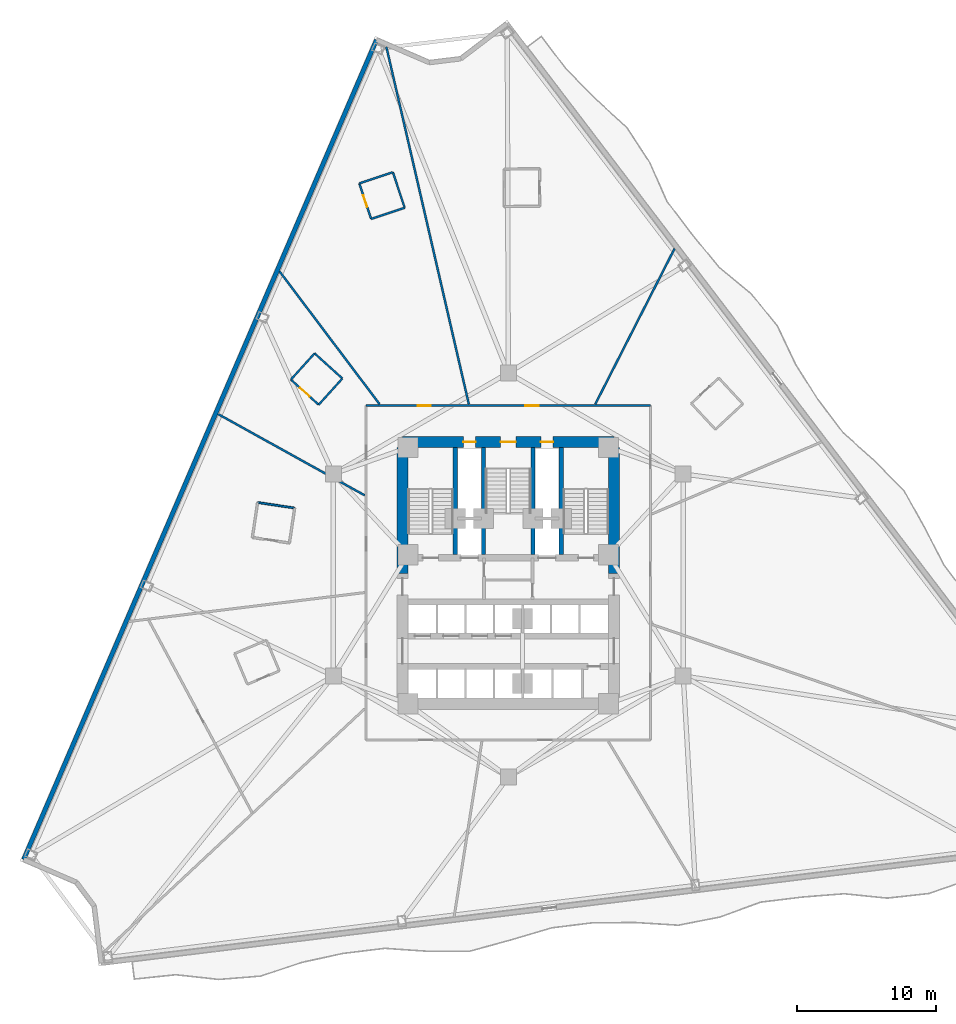
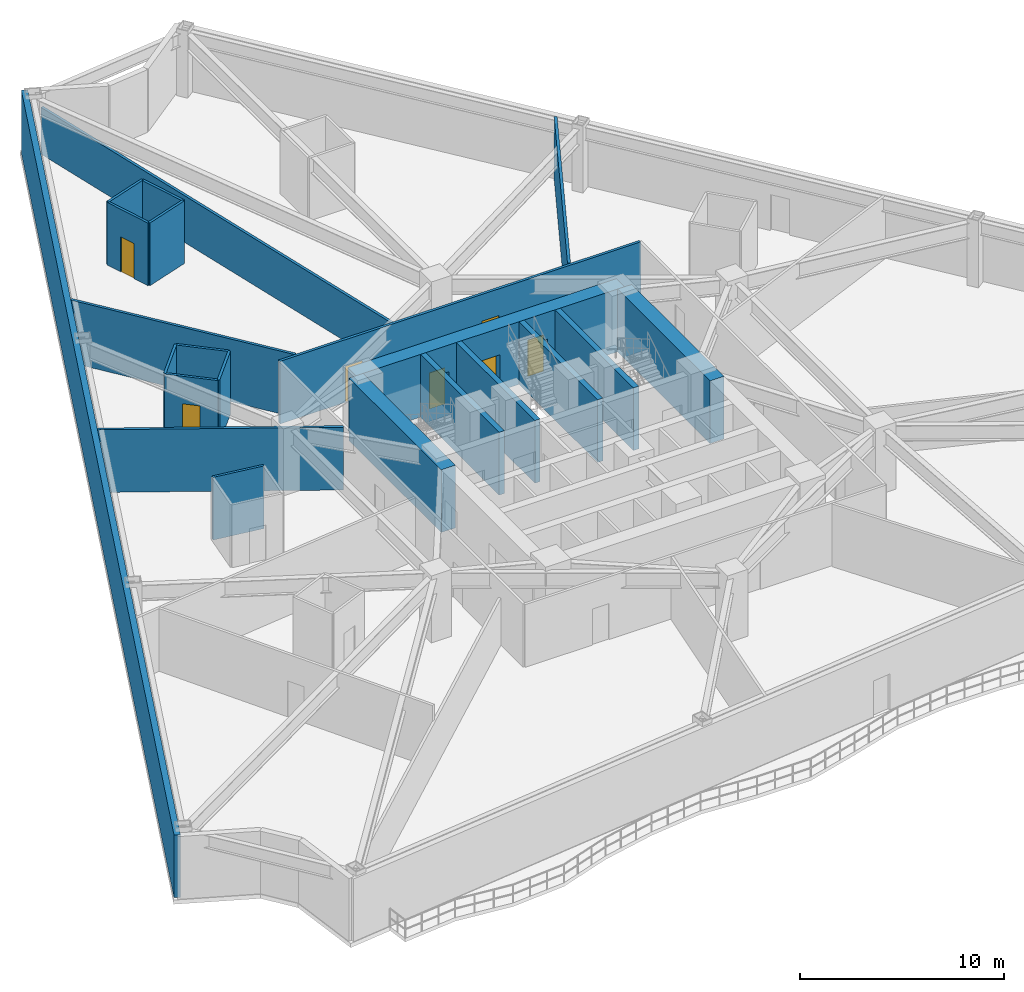
# One storey, part 5 of 10: 22 walls, 7 doors, 7 openings.
"""IFC4 building model written with IfcOpenShell, lengths in metres."""

import ifcopenshell
import ifcopenshell.guid

model = None  # the IFC model being written
_history = None  # IfcOwnerHistory: only IFC2X3 demands one
_inside = {}  # id of a spatial element -> (the spatial element, [elements in it])
_under = {}  # id of a project, library or spatial element -> (it, [spatial elements below it])
_declared = {}  # id of a project -> (the project, [libraries it declares])
_typed = {}  # id of a type object -> (the type object, [elements of that type])
_made_of = {}  # id of a material, layer set ... -> (it, [elements and type objects made of it])


def new_model(schema):
    """Start an empty IFC model of exactly this schema.

    Asked for "IFC4X3", IfcOpenShell would pick the latest addendum, in which some entities
    have other attributes; the version numbers below select the first issue.
    IFC2X3 requires an IfcOwnerHistory on every rooted entity: one is made here for all.
    """
    global model, _history
    if schema == "IFC4X3":
        model = ifcopenshell.file(schema_version=(4, 3, 0, 0))
    else:
        model = ifcopenshell.file(schema=schema)
    _inside.clear()
    _under.clear()
    _declared.clear()
    _typed.clear()
    _made_of.clear()
    _history = None
    if model.schema == "IFC2X3":
        org = make("IfcOrganization", Name="unknown")
        user = make(
            "IfcPersonAndOrganization",
            ThePerson=make("IfcPerson", FamilyName="unknown"),
            TheOrganization=org,
        )
        app = make(
            "IfcApplication",
            ApplicationDeveloper=org,
            Version="unknown",
            ApplicationFullName="unknown",
            ApplicationIdentifier="unknown",
        )
        _history = make(
            "IfcOwnerHistory",
            OwningUser=user,
            OwningApplication=app,
            ChangeAction="ADDED",
            CreationDate=0,
        )
    return model


def make(cls, **values):
    """One entity of the class cls with the attributes given. An attribute that is None is left unset."""
    return model.create_entity(
        cls, **{name: value for name, value in values.items() if value is not None}
    )


def rooted(cls, **values):
    """An entity with a GlobalId (a new one), such as an element, a storey or a relation."""
    return make(cls, GlobalId=ifcopenshell.guid.new(), OwnerHistory=_history, **values)


def si_unit(unit_type, name, prefix=None):
    """IfcSIUnit, for example si_unit("LENGTHUNIT", "METRE", prefix="MILLI")."""
    return make("IfcSIUnit", UnitType=unit_type, Prefix=prefix, Name=name)


def assignment(units):
    """IfcUnitAssignment: the units of a project."""
    return None if units is None else make("IfcUnitAssignment", Units=units)


def point(xyz):
    """IfcCartesianPoint."""
    return None if xyz is None else make("IfcCartesianPoint", Coordinates=xyz)


def direction(xyz):
    """IfcDirection."""
    return None if xyz is None else make("IfcDirection", DirectionRatios=xyz)


def frame(location, z_axis=None, x_axis=None):
    """IfcAxis2Placement3D, a coordinate frame: its origin and axes. An axis left out is left unset."""
    return make(
        "IfcAxis2Placement3D",
        Location=point(location),
        Axis=direction(z_axis),
        RefDirection=direction(x_axis),
    )


def frame_2d(location, x_axis=None):
    """IfcAxis2Placement2D, a coordinate frame in the plane: its origin and x axis."""
    return make(
        "IfcAxis2Placement2D", Location=point(location), RefDirection=direction(x_axis)
    )


def origin():
    """The frame at (0, 0, 0) with its axes left unset."""
    return frame((0.0, 0.0, 0.0))


def place(relative_to, where):
    """IfcLocalPlacement: puts the frame where relative to a parent placement (None: the world)."""
    return make(
        "IfcLocalPlacement", PlacementRelTo=relative_to, RelativePlacement=where
    )


def context(
    kind, dimensions, precision=None, world=None, true_north=None, identifier=None
):
    """IfcGeometricRepresentationContext, for example the 3D "Model" context."""
    return make(
        "IfcGeometricRepresentationContext",
        ContextIdentifier=identifier,
        ContextType=kind,
        CoordinateSpaceDimension=dimensions,
        Precision=precision,
        WorldCoordinateSystem=world,
        TrueNorth=true_north,
    )


def subcontext(parent, identifier, kind, view, scale=None):
    """IfcGeometricRepresentationSubContext, for example "Body" below "Model"."""
    return make(
        "IfcGeometricRepresentationSubContext",
        ContextIdentifier=identifier,
        ContextType=kind,
        ParentContext=parent,
        TargetScale=scale,
        TargetView=view,
    )


def project(units=None, contexts=None):
    """IfcProject with its units and contexts."""
    return rooted(
        "IfcProject",
        Name="project",
        RepresentationContexts=contexts,
        UnitsInContext=assignment(units),
    )


def spatial(cls, under=None, at=None, **own):
    """A site, building, storey or space (cls), placed at a placement, below another one or the project."""
    s = rooted(cls, ObjectPlacement=at, **own)
    if under is not None:
        _under.setdefault(under.id(), (under, []))[1].append(s)
    return s


def profile(cls, at=None, kind="AREA", **sizes):
    """A parametric profile (cls). Its sizes go by their IFC names, for example OverallWidth=200.0."""
    return make(cls, ProfileType=kind, Position=at, **sizes)


def rectangle(**sizes):
    """IfcRectangleProfileDef."""
    return profile("IfcRectangleProfileDef", **sizes)


def extrude(swept, where, along, depth):
    """IfcExtrudedAreaSolid: the profile swept, set in the frame where, extruded along a direction by depth."""
    return make(
        "IfcExtrudedAreaSolid",
        SweptArea=swept,
        Position=where,
        ExtrudedDirection=direction(along),
        Depth=depth,
    )


def shape(context_of_items, identifier, shape_type, items):
    """IfcShapeRepresentation: the items that make up one representation, for example the "Body"."""
    return make(
        "IfcShapeRepresentation",
        ContextOfItems=context_of_items,
        RepresentationIdentifier=identifier,
        RepresentationType=shape_type,
        Items=items,
    )


def material(Name=None, Category=None):
    """IfcMaterial."""
    return make("IfcMaterial", Name=Name, Category=Category)


def layer(
    of_material, thickness, ventilated=None, Name=None, Category=None, Priority=None
):
    """IfcMaterialLayer: one layer of a wall or slab, of a material (None: an air gap)."""
    return make(
        "IfcMaterialLayer",
        Material=of_material,
        LayerThickness=thickness,
        IsVentilated=ventilated,
        Name=Name,
        Category=Category,
        Priority=Priority,
    )


def layer_set(layers, Name=None):
    """IfcMaterialLayerSet."""
    return make("IfcMaterialLayerSet", MaterialLayers=layers, LayerSetName=Name)


def made_of(thing, what):
    """Note that an element or type object is made of a material, layer set ...; save() writes the relation."""
    if what is not None:
        _made_of.setdefault(what.id(), (what, []))[1].append(thing)
    return thing


def type_object(cls, material=None, **own):
    """A type object (cls), such as IfcWallType, which elements share."""
    return made_of(rooted(cls, **own), material)


def element(
    cls,
    number,
    at=None,
    inside=None,
    cuts=None,
    type_object=None,
    material=None,
    context=None,
    identifier="Body",
    shape_type=None,
    held_by="IfcProductDefinitionShape",
    body=None,
    shapes=None,
    **own,
):
    """One element of the class cls, such as IfcWall. Its Tag is "e" and its number.

    at: its placement. inside: the storey or other place that contains it. cuts: it is an
    opening in that element (IfcRelVoidsElement). A single representation is given by context,
    identifier, shape_type and body (its items); several are given by shapes. held_by: the class
    of the entity that holds the representations. save() writes the other relations.
    """
    e = rooted(cls, Tag="e%d" % number, ObjectPlacement=at, **own)
    if body is not None:
        shapes = [shape(context, identifier, shape_type, body)]
    if shapes is not None:
        e.Representation = make(held_by, Representations=shapes)
    if inside is not None:
        _inside.setdefault(inside.id(), (inside, []))[1].append(e)
    if cuts is not None:
        rooted(
            "IfcRelVoidsElement", RelatingBuildingElement=cuts, RelatedOpeningElement=e
        )
    if type_object is not None:
        _typed.setdefault(type_object.id(), (type_object, []))[1].append(e)
    return made_of(e, material)


def fill(opening, filler):
    """IfcRelFillsElement: the door or window that sits in an opening."""
    return rooted(
        "IfcRelFillsElement",
        RelatingOpeningElement=opening,
        RelatedBuildingElement=filler,
    )


def aggregate(whole, parts):
    """IfcRelAggregates: a whole, such as a stair, and the parts it consists of."""
    return rooted("IfcRelAggregates", RelatingObject=whole, RelatedObjects=parts)


def save(model, path):
    """Write the relations noted so far, then the file.

    IfcRelAggregates (storeys below a building ...), IfcRelContainedInSpatialStructure (elements
    in a storey), IfcRelDefinesByType, IfcRelAssociatesMaterial and IfcRelDeclares: one each for
    every whole, place, type object, material and project.
    """
    for whole, parts in _under.values():
        aggregate(whole, parts)
    for where, things in _inside.values():
        rooted(
            "IfcRelContainedInSpatialStructure",
            RelatedElements=things,
            RelatingStructure=where,
        )
    for kind, things in _typed.values():
        rooted("IfcRelDefinesByType", RelatedObjects=things, RelatingType=kind)
    for what, things in _made_of.values():
        rooted("IfcRelAssociatesMaterial", RelatedObjects=things, RelatingMaterial=what)
    for by, libraries in _declared.values():
        rooted("IfcRelDeclares", RelatingContext=by, RelatedDefinitions=libraries)
    model.write(path)


model = new_model("IFC4")

# Units and contexts
model_context = context("Model", 3, precision=1e-05, world=origin(), true_north=direction((0.0, 1.0)))
body_context = subcontext(model_context, "Body", "Model", "MODEL_VIEW")
ifc_project = project(units=[si_unit("LENGTHUNIT", "METRE"), si_unit("AREAUNIT", "SQUARE_METRE"), si_unit("VOLUMEUNIT", "CUBIC_METRE"), si_unit("PLANEANGLEUNIT", "RADIAN"), si_unit("MASSUNIT", "GRAM", prefix="KILO")], contexts=[model_context])

# Site, building, storey
site_placement = place(None, origin())
site = spatial("IfcSite", under=ifc_project, at=site_placement, CompositionType="ELEMENT")
building_placement = place(site_placement, origin())
building = spatial("IfcBuilding", under=site, at=building_placement, Name="Apsidion Concourse Tower", CompositionType="ELEMENT")
storey_placement = place(building_placement, frame((0.0, 0.0, 87.0)))
storey = spatial("IfcBuildingStorey", under=building, at=storey_placement, Name="L19", CompositionType="ELEMENT", Elevation=87.0)

# Walls
ifc_material_1 = material(Name="Precast concrete C40/50", Category="concrete")
ifc_layer_1 = layer(ifc_material_1, 0.320068359375)
ifc_layer_set_1 = layer_set([ifc_layer_1], Name="Precast concrete C40/50")
wall_type_1 = type_object("IfcWallType", Name="WL-EXT-320", PredefinedType="STANDARD", material=ifc_layer_set_1)
wall_1_placement = place(storey_placement, frame((-34.787353515625, -20.429443359375, 0.0), z_axis=(0.0, 0.0, 1.0), x_axis=(0.395418293843, 0.91850115563, 0.0)))
element("IfcWall", 1, at=wall_1_placement, inside=storey, type_object=wall_type_1, Name="L19 Precast Stone Facade Wall 09", PredefinedType="STANDARD", context=body_context, shape_type="SweptSolid", body=[
    extrude(rectangle(XDim=64.058349609375, YDim=0.320068359375, at=frame_2d((32.029296875, 0.0))), origin(), (0.0, 0.0, 1.0), 3.75),
])
ifc_material_2 = material(Name="Gypsum plasterboard partition")
ifc_layer_2 = layer(ifc_material_2, 0.139892578125)
ifc_layer_set_2 = layer_set([ifc_layer_2], Name="Gypsum plasterboard partition")
wall_type_2 = type_object("IfcWallType", Name="WL-INT-PAR-140", PredefinedType="PARTITIONING", material=ifc_layer_set_2)
wall_2_placement = place(storey_placement, frame((-7.433837890625, 26.357421875, 0.0), z_axis=(0.0, 0.0, 1.0), x_axis=(-0.315655933888, 0.94887371731, 0.0)))
element("IfcWall", 2, at=wall_2_placement, inside=storey, type_object=wall_type_2, Name="L19 Interior Partition WL-L19-POD-ENS07-S1", PredefinedType="PARTITIONING", context=body_context, shape_type="SweptSolid", body=[
    extrude(rectangle(XDim=2.68994140625, YDim=0.139892578125, at=frame_2d((1.344970703125, 0.0))), origin(), (0.0, 0.0, 1.0), 3.75),
])
wall_3_placement = place(storey_placement, frame((-8.282958984375, 28.909912109375, 0.0), z_axis=(0.0, 0.0, 1.0), x_axis=(-0.948875358448, -0.315651000521, 0.0)))
element("IfcWall", 3, at=wall_3_placement, inside=storey, type_object=wall_type_2, Name="L19 Interior Partition WL-L19-POD-ENS07-S2", PredefinedType="PARTITIONING", context=body_context, shape_type="SweptSolid", body=[
    extrude(rectangle(XDim=2.5400390625, YDim=0.139892578125, at=frame_2d((1.27001953125, 0.0))), origin(), (0.0, 0.0, 1.0), 3.75),
])

# Wall, opening, door
wall_4_placement = place(storey_placement, frame((-10.693115234375, 28.108154296875, 0.0), z_axis=(0.0, 0.0, 1.0), x_axis=(0.315655933888, -0.94887371731, 0.0)))
wall_4 = element("IfcWall", 4, at=wall_4_placement, inside=storey, type_object=wall_type_2, Name="L19 Interior Partition WL-L19-POD-ENS07-S3", PredefinedType="PARTITIONING", context=body_context, shape_type="SweptSolid", body=[
    extrude(rectangle(XDim=2.68994140625, YDim=0.139892578125, at=frame_2d((1.344970703125, 0.0))), origin(), (0.0, 0.0, 1.0), 3.75),
])
opening_1_placement = place(wall_4_placement, frame((0.905029296875, 0.0, 0.0)))
opening_1 = element("IfcOpeningElement", 5, at=opening_1_placement, cuts=wall_4, Name="Opening D-03R", PredefinedType="OPENING", context=body_context, shape_type="SweptSolid", body=[
    extrude(rectangle(XDim=0.8798828125, YDim=2.10009765625, at=frame_2d((0.43994140625, 1.050048828125))), frame((0.0, 0.080078125, 0.0), z_axis=(0.0, -1.0, 0.0), x_axis=(1.0, 0.0, 0.0)), (0.0, 0.0, 1.0), 0.159912109375),
])
ifc_material_3 = material(Name="Anodised aluminium EN AW-6063 T6", Category="aluminium")
door_type_1 = type_object("IfcDoorType", Name="DR-INT-D03R", OperationType="SINGLE_SWING_RIGHT", PredefinedType="DOOR", material=ifc_material_3)
door_1_placement = place(opening_1_placement, origin())
door_1 = element("IfcDoor", 6, at=door_1_placement, inside=storey, type_object=door_type_1, Name="L19 Guest En-Suite Bathroom Door ENS07", OperationType="SINGLE_SWING_RIGHT", OverallHeight=2.10009765625, OverallWidth=0.8798828125, PredefinedType="DOOR", context=body_context, shape_type="SweptSolid", body=[
    extrude(rectangle(XDim=0.8798828125, YDim=2.10009765625, at=frame_2d((0.43994140625, 1.050048828125))), frame((0.0, 0.02490234375, 0.0), z_axis=(0.0, -1.0, 0.0), x_axis=(1.0, 0.0, 0.0)), (0.0, 0.0, 1.0), 0.050048828125),
])
fill(opening_1, door_1)

# Walls
wall_5_placement = place(storey_placement, frame((-9.843994140625, 25.5556640625, 0.0), z_axis=(0.0, 0.0, 1.0), x_axis=(0.948875358448, 0.315651000521, 0.0)))
element("IfcWall", 7, at=wall_5_placement, inside=storey, type_object=wall_type_2, Name="L19 Interior Partition WL-L19-POD-ENS07-S4", PredefinedType="PARTITIONING", context=body_context, shape_type="SweptSolid", body=[
    extrude(rectangle(XDim=2.5400390625, YDim=0.139892578125, at=frame_2d((1.27001953125, 0.0))), origin(), (0.0, 0.0, 1.0), 3.75),
])
wall_6_placement = place(storey_placement, frame((-11.90771484375, 14.101806640625, 0.0), z_axis=(0.0, 0.0, 1.0), x_axis=(-0.742006512303, 0.670392672767, 0.0)))
element("IfcWall", 8, at=wall_6_placement, inside=storey, type_object=wall_type_2, Name="L19 Interior Partition WL-L19-POD-ENS08-S1", PredefinedType="PARTITIONING", context=body_context, shape_type="SweptSolid", body=[
    extrude(rectangle(XDim=2.689697265625, YDim=0.139892578125, at=frame_2d((1.3447265625, 0.0))), origin(), (0.0, 0.0, 1.0), 3.75),
])
wall_7_placement = place(storey_placement, frame((-13.903564453125, 15.905029296875, 0.0), z_axis=(0.0, 0.0, 1.0), x_axis=(-0.670445049089, -0.741959187659, 0.0)))
element("IfcWall", 9, at=wall_7_placement, inside=storey, type_object=wall_type_2, Name="L19 Interior Partition WL-L19-POD-ENS08-S2", PredefinedType="PARTITIONING", context=body_context, shape_type="SweptSolid", body=[
    extrude(rectangle(XDim=2.5400390625, YDim=0.139892578125, at=frame_2d((1.27001953125, 0.0))), origin(), (0.0, 0.0, 1.0), 3.75),
])

# Wall, opening, door
wall_8_placement = place(storey_placement, frame((-15.6064453125, 14.0205078125, 0.0), z_axis=(0.0, 0.0, 1.0), x_axis=(0.741961363453, -0.670442641202, 0.0)))
wall_8 = element("IfcWall", 10, at=wall_8_placement, inside=storey, type_object=wall_type_2, Name="L19 Interior Partition WL-L19-POD-ENS08-S3", PredefinedType="PARTITIONING", context=body_context, shape_type="SweptSolid", body=[
    extrude(rectangle(XDim=2.68994140625, YDim=0.139892578125, at=frame_2d((1.344970703125, 0.0))), origin(), (0.0, 0.0, 1.0), 3.75),
])
opening_2_placement = place(wall_8_placement, frame((0.905029296875, 0.0, 0.0)))
opening_2 = element("IfcOpeningElement", 11, at=opening_2_placement, cuts=wall_8, Name="Opening D-03L", PredefinedType="OPENING", context=body_context, shape_type="SweptSolid", body=[
    extrude(rectangle(XDim=0.8798828125, YDim=2.10009765625, at=frame_2d((0.43994140625, 1.050048828125))), frame((0.0, 0.080078125, 0.0), z_axis=(0.0, -1.0, 0.0), x_axis=(1.0, 0.0, 0.0)), (0.0, 0.0, 1.0), 0.159912109375),
])
door_type_2 = type_object("IfcDoorType", Name="DR-INT-D03L", OperationType="SINGLE_SWING_LEFT", PredefinedType="DOOR", material=ifc_material_3)
door_2_placement = place(opening_2_placement, origin())
door_2 = element("IfcDoor", 12, at=door_2_placement, inside=storey, type_object=door_type_2, Name="L19 Guest En-Suite Bathroom Door ENS08", OperationType="SINGLE_SWING_LEFT", OverallHeight=2.10009765625, OverallWidth=0.8798828125, PredefinedType="DOOR", context=body_context, shape_type="SweptSolid", body=[
    extrude(rectangle(XDim=0.8798828125, YDim=2.10009765625, at=frame_2d((0.43994140625, 1.050048828125))), frame((0.0, 0.02490234375, 0.0), z_axis=(0.0, -1.0, 0.0), x_axis=(1.0, 0.0, 0.0)), (0.0, 0.0, 1.0), 0.050048828125),
])
fill(opening_2, door_2)

# Walls
wall_9_placement = place(storey_placement, frame((-13.610595703125, 12.217041015625, 0.0), z_axis=(0.0, 0.0, 1.0), x_axis=(0.670397236325, 0.742002389166, 0.0)))
element("IfcWall", 13, at=wall_9_placement, inside=storey, type_object=wall_type_2, Name="L19 Interior Partition WL-L19-POD-ENS08-S4", PredefinedType="PARTITIONING", context=body_context, shape_type="SweptSolid", body=[
    extrude(rectangle(XDim=2.5400390625, YDim=0.139892578125, at=frame_2d((1.27001953125, 0.0))), origin(), (0.0, 0.0, 1.0), 3.75),
])
wall_10_placement = place(storey_placement, frame((-15.33349609375, 4.802001953125, 0.0), z_axis=(0.0, 0.0, 1.0), x_axis=(-0.989010125109, 0.147847801579, 0.0)))
element("IfcWall", 14, at=wall_10_placement, inside=storey, type_object=wall_type_2, Name="L19 Interior Partition WL-L19-POD-ENS09-S1", PredefinedType="PARTITIONING", context=body_context, shape_type="SweptSolid", body=[
    extrude(rectangle(XDim=2.68994140625, YDim=0.139892578125, at=frame_2d((1.344970703125, 0.0))), origin(), (0.0, 0.0, 1.0), 3.75),
])

# Wall, openings, doors
ifc_layer_3 = layer(ifc_material_2, 0.14990234375)
ifc_layer_set_3 = layer_set([ifc_layer_3], Name="Gypsum plasterboard partition")
wall_type_3 = type_object("IfcWallType", Name="WL-INT-PAR-150", PredefinedType="PARTITIONING", material=ifc_layer_set_3)
wall_11_placement = place(storey_placement, frame((-10.199951171875, 12.14990234375, 0.0), z_axis=(0.0, 0.0, 1.0), x_axis=(1.0, 0.0, 0.0)))
wall_11 = element("IfcWall", 15, at=wall_11_placement, inside=storey, type_object=wall_type_3, Name="L19 Interior Partition WL-L19-CORR-01", PredefinedType="PARTITIONING", context=body_context, shape_type="SweptSolid", body=[
    extrude(rectangle(XDim=20.39990234375, YDim=0.14990234375, at=frame_2d((10.199951171875, 0.0))), origin(), (0.0, 0.0, 1.0), 3.75),
])
opening_3_placement = place(wall_11_placement, frame((11.430419921875, 0.0, 0.0)))
opening_3 = element("IfcOpeningElement", 16, at=opening_3_placement, cuts=wall_11, Name="Opening D-01L", PredefinedType="OPENING", context=body_context, shape_type="SweptSolid", body=[
    extrude(rectangle(XDim=0.949951171875, YDim=2.14990234375, at=frame_2d((0.47509765625, 1.074951171875))), frame((0.0, 0.0849609375, 0.0), z_axis=(0.0, -1.0, 0.0), x_axis=(1.0, 0.0, 0.0)), (0.0, 0.0, 1.0), 0.169921875),
])
opening_4_placement = place(wall_11_placement, frame((3.69677734375, 0.0, 0.0)))
opening_4 = element("IfcOpeningElement", 17, at=opening_4_placement, cuts=wall_11, Name="Opening D-01R", PredefinedType="OPENING", context=body_context, shape_type="SweptSolid", body=[
    extrude(rectangle(XDim=0.949951171875, YDim=2.14990234375, at=frame_2d((0.47509765625, 1.074951171875))), frame((0.0, 0.0849609375, 0.0), z_axis=(0.0, -1.0, 0.0), x_axis=(1.0, 0.0, 0.0)), (0.0, 0.0, 1.0), 0.169921875),
])
ifc_material_4 = material(Name="Brushed stainless steel 316", Category="steel")
door_type_3 = type_object("IfcDoorType", Name="DR-INT-D01L", OperationType="SINGLE_SWING_LEFT", PredefinedType="DOOR", material=ifc_material_4)
door_3_placement = place(opening_3_placement, origin())
door_3 = element("IfcDoor", 18, at=door_3_placement, inside=storey, type_object=door_type_3, Name="L19 Corridor Entry Door 07", OperationType="SINGLE_SWING_LEFT", OverallHeight=2.14990234375, OverallWidth=0.949951171875, PredefinedType="DOOR", context=body_context, shape_type="SweptSolid", body=[
    extrude(rectangle(XDim=0.949951171875, YDim=2.14990234375, at=frame_2d((0.47509765625, 1.074951171875))), frame((0.0, 0.02490234375, 0.0), z_axis=(0.0, -1.0, 0.0), x_axis=(1.0, 0.0, 0.0)), (0.0, 0.0, 1.0), 0.050048828125),
])
fill(opening_3, door_3)
door_type_4 = type_object("IfcDoorType", Name="DR-INT-D01R", OperationType="SINGLE_SWING_RIGHT", PredefinedType="DOOR", material=ifc_material_4)
door_4_placement = place(opening_4_placement, origin())
door_4 = element("IfcDoor", 19, at=door_4_placement, inside=storey, type_object=door_type_4, Name="L19 Corridor Entry Door 08", OperationType="SINGLE_SWING_RIGHT", OverallHeight=2.14990234375, OverallWidth=0.949951171875, PredefinedType="DOOR", context=body_context, shape_type="SweptSolid", body=[
    extrude(rectangle(XDim=0.949951171875, YDim=2.14990234375, at=frame_2d((0.47509765625, 1.074951171875))), frame((0.0, 0.02490234375, 0.0), z_axis=(0.0, -1.0, 0.0), x_axis=(1.0, 0.0, 0.0)), (0.0, 0.0, 1.0), 0.050048828125),
])
fill(opening_4, door_4)

# Walls
wall_12_placement = place(storey_placement, frame((6.244140625, 12.2548828125, 0.0), z_axis=(0.0, 0.0, 1.0), x_axis=(0.453994561764, 0.891004454472, 0.0)))
element("IfcWall", 20, at=wall_12_placement, inside=storey, type_object=wall_type_3, Name="L19 Interior Partition WL-L19-RAD-02-1", PredefinedType="PARTITIONING", context=body_context, shape_type="SweptSolid", body=[
    extrude(rectangle(XDim=12.548583984375, YDim=0.14990234375, at=frame_2d((6.2744140625, 0.0))), origin(), (0.0, 0.0, 1.0), 3.75),
])
wall_13_placement = place(storey_placement, frame((-2.829345703125, 12.2548828125, 0.0), z_axis=(0.0, 0.0, 1.0), x_axis=(-0.224953618915, 0.974369472704, 0.0)))
element("IfcWall", 21, at=wall_13_placement, inside=storey, type_object=wall_type_3, Name="L19 Interior Partition WL-L19-RAD-03-1", PredefinedType="PARTITIONING", context=body_context, shape_type="SweptSolid", body=[
    extrude(rectangle(XDim=26.334716796875, YDim=0.14990234375, at=frame_2d((13.16748046875, 0.0))), origin(), (0.0, 0.0, 1.0), 2.798095703125),
])
wall_14_placement = place(storey_placement, frame((-9.23486328125, 12.2548828125, 0.0), z_axis=(0.0, 0.0, 1.0), x_axis=(-0.601804313692, 0.798643580091, 0.0)))
element("IfcWall", 22, at=wall_14_placement, inside=storey, type_object=wall_type_3, Name="L19 Interior Partition WL-L19-RAD-04-1", PredefinedType="PARTITIONING", context=body_context, shape_type="SweptSolid", body=[
    extrude(rectangle(XDim=11.9404296875, YDim=0.14990234375, at=frame_2d((5.97021484375, 0.0))), origin(), (0.0, 0.0, 1.0), 3.75),
])
wall_15_placement = place(storey_placement, frame((-10.304931640625, 5.712158203125, 0.0), z_axis=(0.0, 0.0, 1.0), x_axis=(-0.87461523799, 0.484817682718, 0.0)))
element("IfcWall", 23, at=wall_15_placement, inside=storey, type_object=wall_type_3, Name="L19 Interior Partition WL-L19-RAD-05-1", PredefinedType="PARTITIONING", context=body_context, shape_type="SweptSolid", body=[
    extrude(rectangle(XDim=12.034912109375, YDim=0.14990234375, at=frame_2d((6.017578125, 0.0))), origin(), (0.0, 0.0, 1.0), 3.75),
])
ifc_material_5 = material(Name="Concrete C50/60", Category="concrete")
ifc_layer_4 = layer(ifc_material_5, 0.300048828125)
ifc_layer_set_4 = layer_set([ifc_layer_4], Name="Concrete C50/60")
wall_type_4 = type_object("IfcWallType", Name="WL-SH-300", PredefinedType="SHEAR", material=ifc_layer_set_4)
for number, where, z_axis, x_axis, name in (
    (24, (-3.800048828125, 1.449951171875, 0.0), (0.0, 0.0, 1.0), (0.0, 1.0, 0.0), "L19 Central Core Shear Wall V1"),
    (25, (-1.77490234375, 1.449951171875, 0.0), (0.0, 0.0, 1.0), (0.0, 1.0, 0.0), "L19 Central Core Shear Wall V2"),
    (26, (1.77490234375, 1.449951171875, 0.0), (0.0, 0.0, 1.0), (0.0, 1.0, 0.0), "L19 Central Core Shear Wall V3"),
    (27, (3.800048828125, 1.449951171875, 0.0), (0.0, 0.0, 1.0), (0.0, 1.0, 0.0), "L19 Central Core Shear Wall V4"),
):
    element("IfcWall", number, at=place(storey_placement, frame(where, z_axis=z_axis, x_axis=x_axis)), inside=storey, type_object=wall_type_4, Name=name, PredefinedType="SHEAR", context=body_context, shape_type="SweptSolid", body=[
        extrude(rectangle(XDim=7.699951171875, YDim=0.300048828125, at=frame_2d((3.85009765625, 0.0))), origin(), (0.0, 0.0, 1.0), 3.75),
    ])

# Wall, openings, doors
ifc_material_6 = material(Name="Concrete C60/75", Category="concrete")
ifc_layer_5 = layer(ifc_material_6, 0.800048828125)
ifc_layer_set_5 = layer_set([ifc_layer_5], Name="Concrete C60/75")
wall_type_5 = type_object("IfcWallType", Name="WL-SH-800", PredefinedType="SHEAR", material=ifc_layer_set_5)
wall_16_placement = place(storey_placement, frame((-7.60009765625, 9.550048828125, 0.0), z_axis=(0.0, 0.0, 1.0), x_axis=(1.0, 0.0, 0.0)))
wall_16 = element("IfcWall", 28, at=wall_16_placement, inside=storey, type_object=wall_type_5, Name="L19 Central Core Shear Wall N", PredefinedType="SHEAR", context=body_context, shape_type="SweptSolid", body=[
    extrude(rectangle(XDim=15.2001953125, YDim=0.800048828125, at=frame_2d((7.60009765625, 0.0))), origin(), (0.0, 0.0, 1.0), 3.75),
])
opening_5_placement = place(wall_16_placement, frame((7.050048828125, 0.0, 0.0)))
opening_5 = element("IfcOpeningElement", 29, at=opening_5_placement, cuts=wall_16, Name="Opening D-STL", PredefinedType="OPENING", context=body_context, shape_type="SweptSolid", body=[
    extrude(rectangle(XDim=1.10009765625, YDim=2.14990234375, at=frame_2d((0.550048828125, 1.074951171875))), frame((0.0, 0.41015625, 0.0), z_axis=(0.0, -1.0, 0.0), x_axis=(1.0, 0.0, 0.0)), (0.0, 0.0, 1.0), 0.820068359375),
])
opening_6_placement = place(wall_16_placement, frame((4.3798828125, 0.0, 0.0)))
opening_6 = element("IfcOpeningElement", 30, at=opening_6_placement, cuts=wall_16, Name="Opening D-05L", PredefinedType="OPENING", context=body_context, shape_type="SweptSolid", body=[
    extrude(rectangle(XDim=0.8798828125, YDim=2.14990234375, at=frame_2d((0.43994140625, 1.074951171875))), frame((0.0, 0.41015625, 0.0), z_axis=(0.0, -1.0, 0.0), x_axis=(1.0, 0.0, 0.0)), (0.0, 0.0, 1.0), 0.820068359375),
])
opening_7_placement = place(wall_16_placement, frame((9.93994140625, 0.0, 0.0)))
opening_7 = element("IfcOpeningElement", 31, at=opening_7_placement, cuts=wall_16, Name="Opening D-05R", PredefinedType="OPENING", context=body_context, shape_type="SweptSolid", body=[
    extrude(rectangle(XDim=0.8798828125, YDim=2.14990234375, at=frame_2d((0.43994140625, 1.074951171875))), frame((0.0, 0.41015625, 0.0), z_axis=(0.0, -1.0, 0.0), x_axis=(1.0, 0.0, 0.0)), (0.0, 0.0, 1.0), 0.820068359375),
])
door_type_5 = type_object("IfcDoorType", Name="DR-INT-D05L", OperationType="SINGLE_SWING_LEFT", PredefinedType="DOOR", material=ifc_material_4)
door_5_placement = place(opening_6_placement, origin())
door_5 = element("IfcDoor", 32, at=door_5_placement, inside=storey, type_object=door_type_5, Name="L19 Electrical Riser Shaft Access Door", OperationType="SINGLE_SWING_LEFT", OverallHeight=2.14990234375, OverallWidth=0.8798828125, PredefinedType="DOOR", context=body_context, shape_type="SweptSolid", body=[
    extrude(rectangle(XDim=0.8798828125, YDim=2.14990234375, at=frame_2d((0.43994140625, 1.074951171875))), frame((0.0, 0.02490234375, 0.0), z_axis=(0.0, -1.0, 0.0), x_axis=(1.0, 0.0, 0.0)), (0.0, 0.0, 1.0), 0.050048828125),
])
fill(opening_6, door_5)
door_type_6 = type_object("IfcDoorType", Name="DR-INT-D05R", OperationType="SINGLE_SWING_RIGHT", PredefinedType="DOOR", material=ifc_material_4)
door_6_placement = place(opening_7_placement, origin())
door_6 = element("IfcDoor", 33, at=door_6_placement, inside=storey, type_object=door_type_6, Name="L19 Mechanical Riser Shaft Access Door", OperationType="SINGLE_SWING_RIGHT", OverallHeight=2.14990234375, OverallWidth=0.8798828125, PredefinedType="DOOR", context=body_context, shape_type="SweptSolid", body=[
    extrude(rectangle(XDim=0.8798828125, YDim=2.14990234375, at=frame_2d((0.43994140625, 1.074951171875))), frame((0.0, 0.02490234375, 0.0), z_axis=(0.0, -1.0, 0.0), x_axis=(1.0, 0.0, 0.0)), (0.0, 0.0, 1.0), 0.050048828125),
])
fill(opening_7, door_6)
door_type_7 = type_object("IfcDoorType", Name="DR-INT-ST1L", OperationType="SINGLE_SWING_LEFT", PredefinedType="DOOR", material=ifc_material_4)
door_7_placement = place(opening_5_placement, origin())
door_7 = element("IfcDoor", 34, at=door_7_placement, inside=storey, type_object=door_type_7, Name="L19 Core Exit Stair ST3 Door", OperationType="SINGLE_SWING_LEFT", OverallHeight=2.14990234375, OverallWidth=1.10009765625, PredefinedType="DOOR", context=body_context, shape_type="SweptSolid", body=[
    extrude(rectangle(XDim=1.10009765625, YDim=2.14990234375, at=frame_2d((0.550048828125, 1.074951171875))), frame((0.0, 0.02490234375, 0.0), z_axis=(0.0, -1.0, 0.0), x_axis=(1.0, 0.0, 0.0)), (0.0, 0.0, 1.0), 0.050048828125),
])
fill(opening_5, door_7)

# Walls
for number, where, z_axis, x_axis, name in (
    (35, (-7.60009765625, 0.10009765625, 0.0), (0.0, 0.0, 1.0), (0.0, 1.0, 0.0), "L19 Central Core Shear Wall WN"),
    (36, (7.60009765625, 0.10009765625, 0.0), (0.0, 0.0, 1.0), (0.0, 1.0, 0.0), "L19 Central Core Shear Wall EN"),
):
    element("IfcWall", number, at=place(storey_placement, frame(where, z_axis=z_axis, x_axis=x_axis)), inside=storey, type_object=wall_type_5, Name=name, PredefinedType="SHEAR", context=body_context, shape_type="SweptSolid", body=[
        extrude(rectangle(XDim=9.0498046875, YDim=0.800048828125, at=frame_2d((4.52490234375, 0.0))), origin(), (0.0, 0.0, 1.0), 3.75),
    ])

save(model, "model.ifc")
